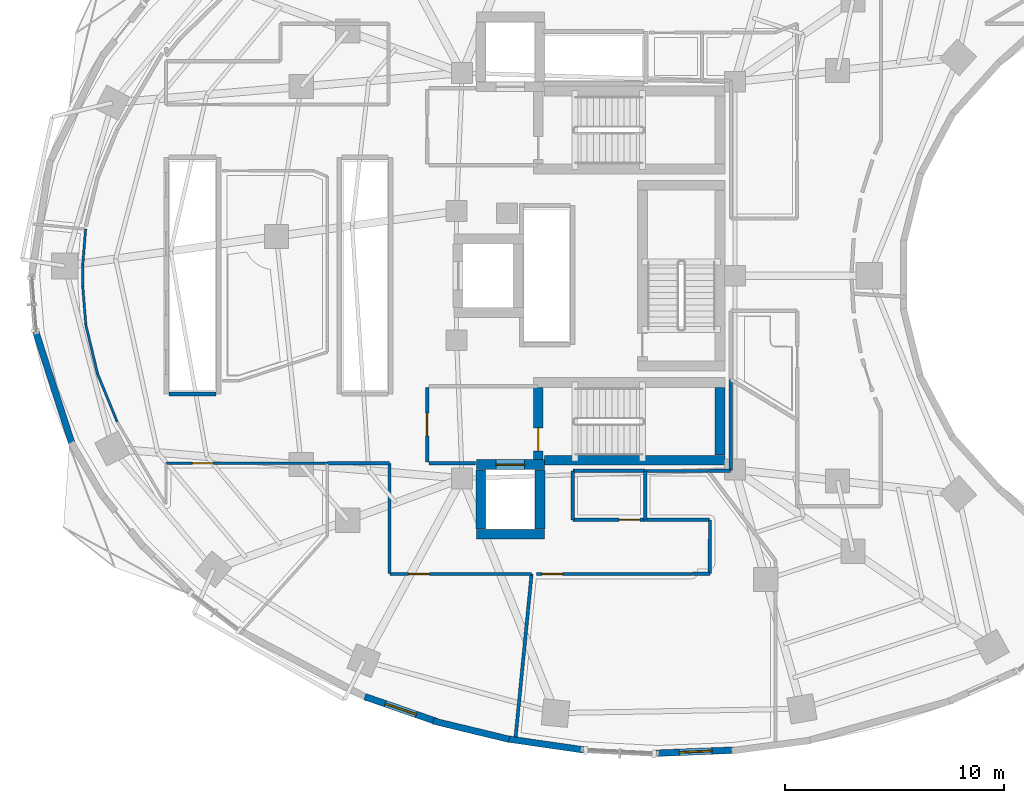
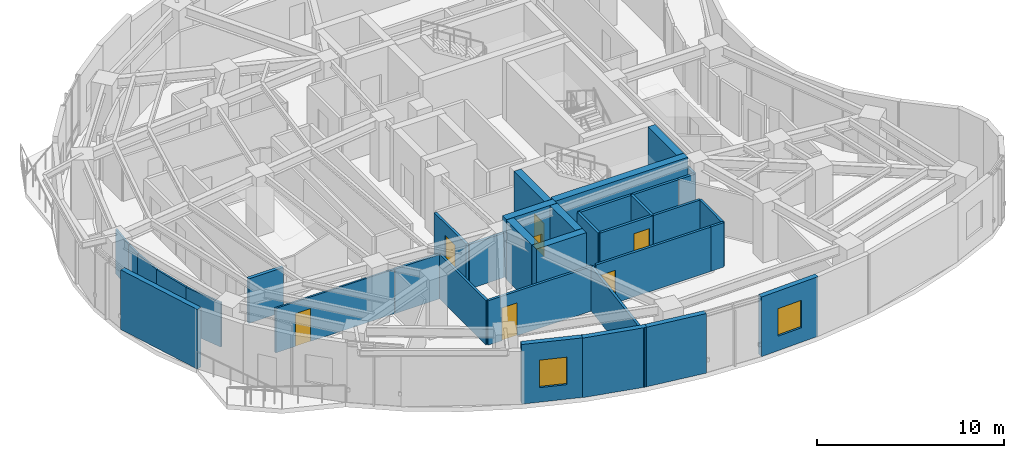
# One storey, part 8 of 15: 36 walls, 7 doors, 2 windows, 9 openings.
"""IFC4 building model written with IfcOpenShell, lengths in metres."""

from ifc_helpers import new_model, si_unit, direction, frame, frame_2d, origin, place, context, subcontext, project, spatial, rectangle, extrude, material, layer, layer_set, type_object, element, fill, save


model = new_model("IFC4")

# Units and contexts
model_context = context("Model", 3, precision=1e-05, world=origin(), true_north=direction((0.0, 1.0)))
body_context = subcontext(model_context, "Body", "Model", "MODEL_VIEW")
ifc_project = project(units=[si_unit("LENGTHUNIT", "METRE"), si_unit("AREAUNIT", "SQUARE_METRE"), si_unit("VOLUMEUNIT", "CUBIC_METRE"), si_unit("PLANEANGLEUNIT", "RADIAN"), si_unit("MASSUNIT", "GRAM", prefix="KILO")], contexts=[model_context])

# Site, building, storey
site_placement = place(None, origin())
site = spatial("IfcSite", under=ifc_project, at=site_placement, CompositionType="ELEMENT")
building_placement = place(site_placement, origin())
building = spatial("IfcBuilding", under=site, at=building_placement, Name="Korentha Bioscience Tower", CompositionType="ELEMENT")
storey_placement = place(building_placement, frame((0.0, 0.0, 98.39990234375)))
storey = spatial("IfcBuildingStorey", under=building, at=storey_placement, Name="L22", CompositionType="ELEMENT", Elevation=98.39990234375)

# Wall, opening, door
ifc_material_1 = material(Name="Double-Stud Acoustic Gypsum", Category="gypsum")
ifc_layer_1 = layer(ifc_material_1, 0.14990234375, Name="Double-Stud Acoustic Gypsum")
ifc_layer_set_1 = layer_set([ifc_layer_1], Name="Double-Stud Acoustic Gypsum (IW-L150)")
wall_type_1 = type_object("IfcWallType", Name="Acoustic Laboratory Partition Wall 150", PredefinedType="PARTITIONING", material=ifc_layer_set_1)
wall_1_placement = place(storey_placement, frame((21.800048828125, 13.389892578125, 0.0), z_axis=(0.0, 0.0, 1.0), x_axis=(1.0, 0.0, 0.0)))
wall_1 = element("IfcWall", 1, at=wall_1_placement, inside=storey, type_object=wall_type_1, Name="L22 Research Colloquium Seminar Room 02 Entrance Wall", PredefinedType="PARTITIONING", context=body_context, shape_type="SweptSolid", body=[
    extrude(rectangle(XDim=6.47119140625, YDim=0.14990234375, at=frame_2d((3.235595703125, 0.0))), origin(), (0.0, 0.0, 1.0), 2.91015625),
])
opening_1_placement = place(wall_1_placement, frame((0.85888671875, 0.0, 0.0)))
opening_1 = element("IfcOpeningElement", 2, at=opening_1_placement, cuts=wall_1, Name="Opening ID-10R", PredefinedType="OPENING", context=body_context, shape_type="SweptSolid", body=[
    extrude(rectangle(XDim=0.949951171875, YDim=2.14990234375, at=frame_2d((0.47509765625, 1.074951171875))), frame((0.0, 0.08984375, 0.0), z_axis=(0.0, -1.0, 0.0), x_axis=(1.0, 0.0, 0.0)), (0.0, 0.0, 1.0), 0.1796875),
])
ifc_material_2 = material(Name="Phenolic Laminate Timber Core", Category="wood")
door_type_1 = type_object("IfcDoorType", Name="Laboratory Single Leaf Door 950x2150 Right", OperationType="SINGLE_SWING_RIGHT", PredefinedType="DOOR", material=ifc_material_2)
door_1_placement = place(opening_1_placement, origin())
door_1 = element("IfcDoor", 3, at=door_1_placement, inside=storey, type_object=door_type_1, Name="L22 Research Colloquium Seminar Room 02 Door", OperationType="SINGLE_SWING_RIGHT", OverallHeight=2.14990234375, OverallWidth=0.949951171875, PredefinedType="DOOR", context=body_context, shape_type="SweptSolid", body=[
    extrude(rectangle(XDim=0.949951171875, YDim=2.14990234375, at=frame_2d((0.47509765625, 1.074951171875))), frame((0.0, 0.02490234375, 0.0), z_axis=(0.0, -1.0, 0.0), x_axis=(1.0, 0.0, 0.0)), (0.0, 0.0, 1.0), 0.050048828125),
])
fill(opening_1, door_1)

wall_2_placement = place(storey_placement, frame((28.5, 13.389892578125, 0.0), z_axis=(0.0, 0.0, 1.0), x_axis=(1.0, 0.0, 0.0)))
wall_2 = element("IfcWall", 4, at=wall_2_placement, inside=storey, type_object=wall_type_1, Name="L22 Staff Pantry Kitchenette 03 Entrance Wall", PredefinedType="PARTITIONING", context=body_context, shape_type="SweptSolid", body=[
    extrude(rectangle(XDim=7.10009765625, YDim=0.14990234375, at=frame_2d((3.550048828125, 0.0))), origin(), (0.0, 0.0, 1.0), 2.91015625),
])
opening_2_placement = place(wall_2_placement, frame((0.239990234375, 0.0, 0.0)))
opening_2 = element("IfcOpeningElement", 5, at=opening_2_placement, cuts=wall_2, Name="Opening ID-10L", PredefinedType="OPENING", context=body_context, shape_type="SweptSolid", body=[
    extrude(rectangle(XDim=0.949951171875, YDim=2.14990234375, at=frame_2d((0.47509765625, 1.074951171875))), frame((0.0, 0.08984375, 0.0), z_axis=(0.0, -1.0, 0.0), x_axis=(1.0, 0.0, 0.0)), (0.0, 0.0, 1.0), 0.1796875),
])
door_type_2 = type_object("IfcDoorType", Name="Laboratory Single Leaf Door 950x2150 Left", OperationType="SINGLE_SWING_LEFT", PredefinedType="DOOR", material=ifc_material_2)
door_2_placement = place(opening_2_placement, origin())
door_2 = element("IfcDoor", 6, at=door_2_placement, inside=storey, type_object=door_type_2, Name="L22 Staff Pantry Kitchenette 03 Door", OperationType="SINGLE_SWING_LEFT", OverallHeight=2.14990234375, OverallWidth=0.949951171875, PredefinedType="DOOR", context=body_context, shape_type="SweptSolid", body=[
    extrude(rectangle(XDim=0.949951171875, YDim=2.14990234375, at=frame_2d((0.47509765625, 1.074951171875))), frame((0.0, 0.02490234375, 0.0), z_axis=(0.0, -1.0, 0.0), x_axis=(1.0, 0.0, 0.0)), (0.0, 0.0, 1.0), 0.050048828125),
])
fill(opening_2, door_2)

# Walls
wall_3_placement = place(storey_placement, frame((18.9580078125, 18.43994140625, 0.0), z_axis=(0.0, 0.0, 1.0), x_axis=(1.0, 0.0, 0.0)))
element("IfcWall", 7, at=wall_3_placement, inside=storey, type_object=wall_type_1, Name="L22 Interior Partition 029", PredefinedType="PARTITIONING", context=body_context, shape_type="SweptSolid", body=[
    extrude(rectangle(XDim=2.83203125, YDim=0.14990234375, at=frame_2d((1.416015625, 0.0))), origin(), (0.0, 0.0, 1.0), 2.91015625),
])
wall_4_placement = place(storey_placement, frame((21.7900390625, 18.43994140625, 0.0), z_axis=(0.0, 0.0, 1.0), x_axis=(0.0, -1.0, 0.0)))
element("IfcWall", 8, at=wall_4_placement, inside=storey, type_object=wall_type_1, Name="L22 Interior Partition 030", PredefinedType="PARTITIONING", context=body_context, shape_type="SweptSolid", body=[
    extrude(rectangle(XDim=5.0400390625, YDim=0.14990234375, at=frame_2d((2.52001953125, 0.0))), origin(), (0.0, 0.0, 1.0), 2.91015625),
])
wall_5_placement = place(storey_placement, frame((28.271240234375, 13.389892578125, 0.0), z_axis=(0.0, 0.0, 1.0), x_axis=(-0.097584908723, -0.995227202999, 0.0)))
element("IfcWall", 9, at=wall_5_placement, inside=storey, type_object=wall_type_1, Name="L22 Interior Partition 031", PredefinedType="PARTITIONING", context=body_context, shape_type="SweptSolid", body=[
    extrude(rectangle(XDim=7.735595703125, YDim=0.14990234375, at=frame_2d((3.86767578125, 0.0))), origin(), (0.0, 0.0, 1.0), 2.91015625),
])
wall_6_placement = place(storey_placement, frame((35.610107421875, 13.39990234375, 0.0), z_axis=(0.0, 0.0, 1.0), x_axis=(1.0, 0.0, 0.0)))
element("IfcWall", 10, at=wall_6_placement, inside=storey, type_object=wall_type_1, Name="L22 Interior Partition 033", PredefinedType="PARTITIONING", context=body_context, shape_type="SweptSolid", body=[
    extrude(rectangle(XDim=0.789794921875, YDim=0.14990234375, at=frame_2d((0.39501953125, 0.0))), origin(), (0.0, 0.0, 1.0), 2.91015625),
])
wall_7_placement = place(storey_placement, frame((36.39990234375, 13.39990234375, 0.0), z_axis=(0.0, 0.0, 1.0), x_axis=(0.004085258855, 0.999991655295, 0.0)))
element("IfcWall", 11, at=wall_7_placement, inside=storey, type_object=wall_type_1, Name="L22 Interior Partition 034", PredefinedType="PARTITIONING", context=body_context, shape_type="SweptSolid", body=[
    extrude(rectangle(XDim=2.4501953125, YDim=0.14990234375, at=frame_2d((1.22509765625, 0.0))), origin(), (0.0, 0.0, 1.0), 2.91015625),
])
wall_8_placement = place(storey_placement, frame((36.39990234375, 15.860107421875, 0.0), z_axis=(0.0, 0.0, 1.0), x_axis=(-1.0, 0.0, 0.0)))
element("IfcWall", 12, at=wall_8_placement, inside=storey, type_object=wall_type_1, Name="L22 Interior Partition 035", PredefinedType="PARTITIONING", context=body_context, shape_type="SweptSolid", body=[
    extrude(rectangle(XDim=2.93994140625, YDim=0.14990234375, at=frame_2d((1.469970703125, 0.0))), origin(), (0.0, 0.0, 1.0), 2.91015625),
])
wall_9_placement = place(storey_placement, frame((33.4599609375, 18.090087890625, 0.0), z_axis=(0.0, 0.0, 1.0), x_axis=(1.0, 0.0, 0.0)))
element("IfcWall", 13, at=wall_9_placement, inside=storey, type_object=wall_type_1, Name="L22 Interior Partition 036", PredefinedType="PARTITIONING", context=body_context, shape_type="SweptSolid", body=[
    extrude(rectangle(XDim=2.859375, YDim=0.14990234375, at=frame_2d((1.4296875, 0.0))), origin(), (0.0, 0.0, 1.0), 2.91015625),
])

# Wall, opening, door
ifc_material_3 = material(Name="Fire-Rated Framed Glass", Category="glass")
ifc_layer_2 = layer(ifc_material_3, 0.110107421875, Name="Fire-Rated Framed Glass")
ifc_layer_set_2 = layer_set([ifc_layer_2], Name="Fire-Rated Framed Glass (IW-G110)")
wall_type_2 = type_object("IfcWallType", Name="Demountable Glazed Office Partition 110", PredefinedType="MOVABLE", material=ifc_layer_set_2)
wall_10_placement = place(storey_placement, frame((11.590087890625, 18.43994140625, 0.0), z_axis=(0.0, 0.0, 1.0), x_axis=(1.0, 0.0, 0.0)))
wall_10 = element("IfcWall", 14, at=wall_10_placement, inside=storey, type_object=wall_type_2, Name="L22 Principal Investigator Office 01 Entrance Wall", PredefinedType="MOVABLE", context=body_context, shape_type="SweptSolid", body=[
    extrude(rectangle(XDim=7.35791015625, YDim=0.110107421875, at=frame_2d((3.678955078125, 0.0))), origin(), (0.0, 0.0, 1.0), 2.91015625),
])
opening_3_placement = place(wall_10_placement, frame((1.206298828125, 0.0, 0.0)))
opening_3 = element("IfcOpeningElement", 15, at=opening_3_placement, cuts=wall_10, Name="Opening ID-10L", PredefinedType="OPENING", context=body_context, shape_type="SweptSolid", body=[
    extrude(rectangle(XDim=0.949951171875, YDim=2.14990234375, at=frame_2d((0.47509765625, 1.074951171875))), frame((0.0, 0.06982421875, 0.0), z_axis=(0.0, -1.0, 0.0), x_axis=(1.0, 0.0, 0.0)), (0.0, 0.0, 1.0), 0.139892578125),
])
door_3_placement = place(opening_3_placement, origin())
door_3 = element("IfcDoor", 16, at=door_3_placement, inside=storey, type_object=door_type_2, Name="L22 Principal Investigator Office 01 Door", OperationType="SINGLE_SWING_LEFT", OverallHeight=2.14990234375, OverallWidth=0.949951171875, PredefinedType="DOOR", context=body_context, shape_type="SweptSolid", body=[
    extrude(rectangle(XDim=0.949951171875, YDim=2.14990234375, at=frame_2d((0.47509765625, 1.074951171875))), frame((0.0, 0.02490234375, 0.0), z_axis=(0.0, -1.0, 0.0), x_axis=(1.0, 0.0, 0.0)), (0.0, 0.0, 1.0), 0.050048828125),
])
fill(opening_3, door_3)

# Walls
wall_11_placement = place(storey_placement, frame((7.920166015625, 29.12451171875, 0.0), z_axis=(0.0, 0.0, 1.0), x_axis=(-0.079067162534, -0.996869291236, 0.0)))
element("IfcWall", 17, at=wall_11_placement, inside=storey, type_object=wall_type_2, Name="L22 Interior Partition 020", PredefinedType="MOVABLE", context=body_context, shape_type="SweptSolid", body=[
    extrude(rectangle(XDim=1.645751953125, YDim=0.110107421875, at=frame_2d((0.82275390625, 0.0))), origin(), (0.0, 0.0, 1.0), 2.91015625),
])
wall_12_placement = place(storey_placement, frame((7.7900390625, 27.48291015625, 0.0), z_axis=(0.0, 0.0, 1.0), x_axis=(0.0, -1.0, 0.0)))
element("IfcWall", 18, at=wall_12_placement, inside=storey, type_object=wall_type_2, Name="L22 Interior Partition 021", PredefinedType="MOVABLE", context=body_context, shape_type="SweptSolid", body=[
    extrude(rectangle(XDim=0.9658203125, YDim=0.110107421875, at=frame_2d((0.48291015625, 0.0))), origin(), (0.0, 0.0, 1.0), 2.91015625),
])
wall_13_placement = place(storey_placement, frame((7.7900390625, 26.51611328125, 0.0), z_axis=(0.0, 0.0, 1.0), x_axis=(0.079131522864, -0.996864184375, 0.0)))
element("IfcWall", 19, at=wall_13_placement, inside=storey, type_object=wall_type_2, Name="L22 Interior Partition 022", PredefinedType="MOVABLE", context=body_context, shape_type="SweptSolid", body=[
    extrude(rectangle(XDim=1.77099609375, YDim=0.110107421875, at=frame_2d((0.885498046875, 0.0))), origin(), (0.0, 0.0, 1.0), 2.91015625),
])
wall_14_placement = place(storey_placement, frame((7.930419921875, 24.749267578125, 0.0), z_axis=(0.0, 0.0, 1.0), x_axis=(0.233675196412, -0.972314713754, 0.0)))
element("IfcWall", 20, at=wall_14_placement, inside=storey, type_object=wall_type_2, Name="L22 Interior Partition 023", PredefinedType="MOVABLE", context=body_context, shape_type="SweptSolid", body=[
    extrude(rectangle(XDim=2.291259765625, YDim=0.110107421875, at=frame_2d((1.1455078125, 0.0))), origin(), (0.0, 0.0, 1.0), 2.91015625),
])
wall_15_placement = place(storey_placement, frame((8.46630859375, 22.520263671875, 0.0), z_axis=(0.0, 0.0, 1.0), x_axis=(0.378306283753, -0.925680482495, 0.0)))
element("IfcWall", 21, at=wall_15_placement, inside=storey, type_object=wall_type_2, Name="L22 Interior Partition 024", PredefinedType="MOVABLE", context=body_context, shape_type="SweptSolid", body=[
    extrude(rectangle(XDim=2.358154296875, YDim=0.110107421875, at=frame_2d((1.17919921875, 0.0))), origin(), (0.0, 0.0, 1.0), 2.91015625),
])

# Wall, opening, door
ifc_material_4 = material(Name="Gypsum-Clad Steel Stud", Category="steel")
ifc_layer_3 = layer(ifc_material_4, 0.159912109375, Name="Gypsum-Clad Steel Stud")
ifc_layer_set_3 = layer_set([ifc_layer_3], Name="Gypsum-Clad Steel Stud (IW-C160)")
wall_type_3 = type_object("IfcWallType", Name="Fire-Rated Corridor Partition Wall 160", PredefinedType="PARTITIONING", material=ifc_layer_set_3)
wall_16_placement = place(storey_placement, frame((23.5, 18.5, 0.0), z_axis=(0.0, 0.0, 1.0), x_axis=(0.0, 1.0, 0.0)))
wall_16 = element("IfcWall", 22, at=wall_16_placement, inside=storey, type_object=wall_type_3, Name="L22 FFLS-CW Rated Enclosure Wall", PredefinedType="PARTITIONING", context=body_context, shape_type="SweptSolid", body=[
    extrude(rectangle(XDim=3.39990234375, YDim=0.159912109375, at=frame_2d((1.699951171875, 0.0))), origin(), (0.0, 0.0, 1.0), 2.91015625),
])
opening_4_placement = place(wall_16_placement, frame((1.175048828125, 0.0, 0.0)))
opening_4 = element("IfcOpeningElement", 23, at=opening_4_placement, cuts=wall_16, Name="Opening FD-90L", PredefinedType="OPENING", context=body_context, shape_type="SweptSolid", body=[
    extrude(rectangle(XDim=1.050048828125, YDim=2.14990234375, at=frame_2d((0.52490234375, 1.074951171875))), frame((0.0, 0.0947265625, 0.0), z_axis=(0.0, -1.0, 0.0), x_axis=(1.0, 0.0, 0.0)), (0.0, 0.0, 1.0), 0.189697265625),
])
ifc_material_5 = material(Name="Powder-Coated Fire-Rated Steel", Category="steel")
door_type_3 = type_object("IfcDoorType", Name="Stairwell Fire Exit Door 1050x2150 Left", OperationType="SINGLE_SWING_LEFT", PredefinedType="DOOR", material=ifc_material_5)
door_4_placement = place(opening_4_placement, origin())
door_4 = element("IfcDoor", 24, at=door_4_placement, inside=storey, type_object=door_type_3, Name="L22 South Firefighting Lobby Door", OperationType="SINGLE_SWING_LEFT", OverallHeight=2.14990234375, OverallWidth=1.050048828125, PredefinedType="DOOR", context=body_context, shape_type="SweptSolid", body=[
    extrude(rectangle(XDim=1.050048828125, YDim=2.14990234375, at=frame_2d((0.52490234375, 1.074951171875))), frame((0.0, 0.02490234375, 0.0), z_axis=(0.0, -1.0, 0.0), x_axis=(1.0, 0.0, 0.0)), (0.0, 0.0, 1.0), 0.050048828125),
])
fill(opening_4, door_4)

# Wall
wall_17_placement = place(storey_placement, frame((23.580078125, 18.449951171875, 0.0), z_axis=(0.0, 0.0, 1.0), x_axis=(1.0, 0.0, 0.0)))
element("IfcWall", 25, at=wall_17_placement, inside=storey, type_object=wall_type_3, Name="L22 Firefighting Lobby Return Wall FFLS-S", PredefinedType="PARTITIONING", context=body_context, shape_type="SweptSolid", body=[
    extrude(rectangle(XDim=2.119873046875, YDim=0.159912109375, at=frame_2d((1.06005859375, 0.0))), origin(), (0.0, 0.0, 1.0), 2.91015625),
])

# Wall, opening, door
wall_18_placement = place(storey_placement, frame((33.449951171875, 15.860107421875, 0.0), z_axis=(0.0, 0.0, 1.0), x_axis=(-1.0, 0.0, 0.0)))
wall_18 = element("IfcWall", 26, at=wall_18_placement, inside=storey, type_object=wall_type_3, Name="L22 Core Instrumentation and Gas Store Entrance Wall", PredefinedType="PARTITIONING", context=body_context, shape_type="SweptSolid", body=[
    extrude(rectangle(XDim=3.300048828125, YDim=0.159912109375, at=frame_2d((1.64990234375, 0.0))), origin(), (0.0, 0.0, 1.0), 2.91015625),
])
opening_5_placement = place(wall_18_placement, frame((0.239990234375, 0.0, 0.0)))
opening_5 = element("IfcOpeningElement", 27, at=opening_5_placement, cuts=wall_18, Name="Opening ID-10L", PredefinedType="OPENING", context=body_context, shape_type="SweptSolid", body=[
    extrude(rectangle(XDim=0.949951171875, YDim=2.14990234375, at=frame_2d((0.47509765625, 1.074951171875))), frame((0.0, 0.0947265625, 0.0), z_axis=(0.0, -1.0, 0.0), x_axis=(1.0, 0.0, 0.0)), (0.0, 0.0, 1.0), 0.189697265625),
])
door_5_placement = place(opening_5_placement, origin())
door_5 = element("IfcDoor", 28, at=door_5_placement, inside=storey, type_object=door_type_2, Name="L22 Core Instrumentation and Gas Store Door", OperationType="SINGLE_SWING_LEFT", OverallHeight=2.14990234375, OverallWidth=0.949951171875, PredefinedType="DOOR", context=body_context, shape_type="SweptSolid", body=[
    extrude(rectangle(XDim=0.949951171875, YDim=2.14990234375, at=frame_2d((0.47509765625, 1.074951171875))), frame((0.0, 0.02490234375, 0.0), z_axis=(0.0, -1.0, 0.0), x_axis=(1.0, 0.0, 0.0)), (0.0, 0.0, 1.0), 0.050048828125),
])
fill(opening_5, door_5)

# Walls
wall_19_placement = place(storey_placement, frame((30.14990234375, 15.860107421875, 0.0), z_axis=(0.0, 0.0, 1.0), x_axis=(0.0, 1.0, 0.0)))
element("IfcWall", 29, at=wall_19_placement, inside=storey, type_object=wall_type_3, Name="L22 Interior Partition 014", PredefinedType="PARTITIONING", context=body_context, shape_type="SweptSolid", body=[
    extrude(rectangle(XDim=2.22998046875, YDim=0.159912109375, at=frame_2d((1.114990234375, 0.0))), origin(), (0.0, 0.0, 1.0), 2.91015625),
])
wall_20_placement = place(storey_placement, frame((30.14990234375, 18.090087890625, 0.0), z_axis=(0.0, 0.0, 1.0), x_axis=(1.0, 0.0, 0.0)))
element("IfcWall", 30, at=wall_20_placement, inside=storey, type_object=wall_type_3, Name="L22 Interior Partition 015", PredefinedType="PARTITIONING", context=body_context, shape_type="SweptSolid", body=[
    extrude(rectangle(XDim=3.300048828125, YDim=0.159912109375, at=frame_2d((1.64990234375, 0.0))), origin(), (0.0, 0.0, 1.0), 2.91015625),
])
wall_21_placement = place(storey_placement, frame((33.449951171875, 18.090087890625, 0.0), z_axis=(0.0, 0.0, 1.0), x_axis=(0.0, -1.0, 0.0)))
element("IfcWall", 31, at=wall_21_placement, inside=storey, type_object=wall_type_3, Name="L22 Interior Partition 016", PredefinedType="PARTITIONING", context=body_context, shape_type="SweptSolid", body=[
    extrude(rectangle(XDim=2.22998046875, YDim=0.159912109375, at=frame_2d((1.114990234375, 0.0))), origin(), (0.0, 0.0, 1.0), 2.91015625),
])
wall_22_placement = place(storey_placement, frame((36.331787109375, 18.090087890625, 0.0), z_axis=(0.0, 0.0, 1.0), x_axis=(1.0, 0.0, 0.0)))
element("IfcWall", 32, at=wall_22_placement, inside=storey, type_object=wall_type_3, Name="L22 Interior Partition 047", PredefinedType="PARTITIONING", context=body_context, shape_type="SweptSolid", body=[
    extrude(rectangle(XDim=1.018310546875, YDim=0.159912109375, at=frame_2d((0.50927734375, 0.0))), origin(), (0.0, 0.0, 1.0), 2.91015625),
])
wall_23_placement = place(storey_placement, frame((37.360107421875, 18.10009765625, 0.0), z_axis=(0.0, 0.0, 1.0), x_axis=(0.0, 1.0, 0.0)))
element("IfcWall", 33, at=wall_23_placement, inside=storey, type_object=wall_type_3, Name="L22 Interior Partition 048", PredefinedType="PARTITIONING", context=body_context, shape_type="SweptSolid", body=[
    extrude(rectangle(XDim=4.16552734375, YDim=0.159912109375, at=frame_2d((2.082763671875, 0.0))), origin(), (0.0, 0.0, 1.0), 2.91015625),
])

# Wall, opening, window
ifc_material_6 = material(Name="Honed Limestone Precast Concrete C40", Category="masonry")
ifc_layer_4 = layer(ifc_material_6, 0.300048828125, Name="Honed Limestone Precast Concrete C40")
ifc_layer_set_4 = layer_set([ifc_layer_4], Name="Honed Limestone Precast Concrete C40 (EW-ST300)")
wall_type_4 = type_object("IfcWallType", Name="Honed Limestone Cavity Spandrel Wall 300", PredefinedType="STANDARD", material=ifc_layer_set_4)
wall_24_placement = place(storey_placement, frame((20.662109375, 7.7919921875, 0.0), z_axis=(0.0, 0.0, 1.0), x_axis=(0.944878029854, -0.3274225232, 0.0)))
wall_24 = element("IfcWall", 34, at=wall_24_placement, inside=storey, type_object=wall_type_4, Name="L22 Honed Limestone Spandrel Wall 28", PredefinedType="STANDARD", context=body_context, shape_type="SweptSolid", body=[
    extrude(rectangle(XDim=3.46728515625, YDim=0.300048828125, at=frame_2d((1.733642578125, 0.0))), origin(), (0.0, 0.0, 1.0), 3.900146484375),
])
opening_6_placement = place(wall_24_placement, frame((0.983642578125, 0.0, 0.949951171875)))
opening_6 = element("IfcOpeningElement", 35, at=opening_6_placement, cuts=wall_24, Name="Opening WN-02", PredefinedType="OPENING", context=body_context, shape_type="SweptSolid", body=[
    extrude(rectangle(XDim=1.5, YDim=1.800048828125, at=frame_2d((0.75, 0.89990234375))), frame((0.0, 0.1650390625, 0.0), z_axis=(0.0, -1.0, 0.0), x_axis=(1.0, 0.0, 0.0)), (0.0, 0.0, 1.0), 0.329833984375),
])
ifc_material_7 = material(Name="Thermally Broken Aluminium Triple Glazing", Category="aluminium")
window_type = type_object("IfcWindowType", Name="Acoustic Operable Office Window 1500x1800", PartitioningType="DOUBLE_PANEL_VERTICAL", PredefinedType="WINDOW", material=ifc_material_7)
window_1_placement = place(opening_6_placement, origin())
window_1 = element("IfcWindow", 36, at=window_1_placement, inside=storey, type_object=window_type, Name="L22 Facade Window 28", OverallHeight=1.800048828125, OverallWidth=1.5, PartitioningType="DOUBLE_PANEL_VERTICAL", PredefinedType="WINDOW", context=body_context, shape_type="SweptSolid", body=[
    extrude(rectangle(XDim=1.5, YDim=1.800048828125, at=frame_2d((0.75, 0.89990234375))), frame((0.0, 0.030029296875, 0.0), z_axis=(0.0, -1.0, 0.0), x_axis=(1.0, 0.0, 0.0)), (0.0, 0.0, 1.0), 0.06005859375),
])
fill(opening_6, window_1)

wall_25_placement = place(storey_placement, frame((33.961181640625, 5.210205078125, 0.0), z_axis=(0.0, 0.0, 1.0), x_axis=(0.999210691503, 0.039723972445, 0.0)))
wall_25 = element("IfcWall", 37, at=wall_25_placement, inside=storey, type_object=wall_type_4, Name="L22 Honed Limestone Spandrel Wall 32", PredefinedType="STANDARD", context=body_context, shape_type="SweptSolid", body=[
    extrude(rectangle(XDim=3.595458984375, YDim=0.300048828125, at=frame_2d((1.7978515625, 0.0))), origin(), (0.0, 0.0, 1.0), 3.900146484375),
])
opening_7_placement = place(wall_25_placement, frame((1.047607421875, 0.0, 0.949951171875)))
opening_7 = element("IfcOpeningElement", 38, at=opening_7_placement, cuts=wall_25, Name="Opening WN-02", PredefinedType="OPENING", context=body_context, shape_type="SweptSolid", body=[
    extrude(rectangle(XDim=1.5, YDim=1.800048828125, at=frame_2d((0.75, 0.89990234375))), frame((0.0, 0.1650390625, 0.0), z_axis=(0.0, -1.0, 0.0), x_axis=(1.0, 0.0, 0.0)), (0.0, 0.0, 1.0), 0.329833984375),
])
window_2_placement = place(opening_7_placement, origin())
window_2 = element("IfcWindow", 39, at=window_2_placement, inside=storey, type_object=window_type, Name="L22 Facade Window 32", OverallHeight=1.800048828125, OverallWidth=1.5, PartitioningType="DOUBLE_PANEL_VERTICAL", PredefinedType="WINDOW", context=body_context, shape_type="SweptSolid", body=[
    extrude(rectangle(XDim=1.5, YDim=1.800048828125, at=frame_2d((0.75, 0.89990234375))), frame((0.0, 0.030029296875, 0.0), z_axis=(0.0, -1.0, 0.0), x_axis=(1.0, 0.0, 0.0)), (0.0, 0.0, 1.0), 0.06005859375),
])
fill(opening_7, window_2)

# Walls
wall_26_placement = place(storey_placement, frame((5.631591796875, 24.48681640625, 0.0), z_axis=(0.0, 0.0, 1.0), x_axis=(0.307599470659, -0.951515930319, 0.0)))
element("IfcWall", 40, at=wall_26_placement, inside=storey, type_object=wall_type_4, Name="L22 Limestone Perimeter Closure Wall 20", PredefinedType="STANDARD", context=body_context, shape_type="SweptSolid", body=[
    extrude(rectangle(XDim=5.534423828125, YDim=0.300048828125, at=frame_2d((2.76708984375, 0.0))), origin(), (0.0, 0.0, 1.0), 3.900146484375),
])
wall_27_placement = place(storey_placement, frame((23.7841796875, 6.679931640625, 0.0), z_axis=(0.0, 0.0, 1.0), x_axis=(0.972043452321, -0.234801036625, 0.0)))
element("IfcWall", 41, at=wall_27_placement, inside=storey, type_object=wall_type_4, Name="L22 Limestone Perimeter Closure Wall 29", PredefinedType="STANDARD", context=body_context, shape_type="SweptSolid", body=[
    extrude(rectangle(XDim=3.568603515625, YDim=0.300048828125, at=frame_2d((1.7841796875, 0.0))), origin(), (0.0, 0.0, 1.0), 3.900146484375),
])
wall_28_placement = place(storey_placement, frame((27.083251953125, 5.874755859375, 0.0), z_axis=(0.0, 0.0, 1.0), x_axis=(0.989734732902, -0.142916613754, 0.0)))
element("IfcWall", 42, at=wall_28_placement, inside=storey, type_object=wall_type_4, Name="L22 Limestone Perimeter Closure Wall 30", PredefinedType="STANDARD", context=body_context, shape_type="SweptSolid", body=[
    extrude(rectangle(XDim=3.611328125, YDim=0.300048828125, at=frame_2d((1.8056640625, 0.0))), origin(), (0.0, 0.0, 1.0), 3.900146484375),
])
ifc_material_8 = material(Name="Autoclaved Aerated Concrete Block C25", Category="concrete")
ifc_layer_5 = layer(ifc_material_8, 0.199951171875, Name="Autoclaved Aerated Concrete Block C25")
ifc_layer_set_5 = layer_set([ifc_layer_5], Name="Autoclaved Aerated Concrete Block C25 (IW-S200)")
wall_type_5 = type_object("IfcWallType", Name="Lift and Riser Shaft Enclosure Wall 200", PredefinedType="PARTITIONING", material=ifc_layer_set_5)
wall_29_placement = place(storey_placement, frame((11.719970703125, 21.60009765625, 0.0), z_axis=(0.0, 0.0, 1.0), x_axis=(1.0, 0.0, 0.0)))
element("IfcWall", 43, at=wall_29_placement, inside=storey, type_object=wall_type_5, Name="L22 Lift Bank LOW Shaft Wall -Y", PredefinedType="PARTITIONING", context=body_context, shape_type="SweptSolid", body=[
    extrude(rectangle(XDim=2.159912109375, YDim=0.199951171875, at=frame_2d((1.080078125, 0.0))), origin(), (0.0, 0.0, 1.0), 2.91015625),
])
ifc_material_9 = material(Name="Concrete C80", Category="concrete")
ifc_layer_6 = layer(ifc_material_9, 0.449951171875, Name="Concrete C80")
ifc_layer_set_6 = layer_set([ifc_layer_6], Name="Concrete C80 (CW-C80)")
wall_type_6 = type_object("IfcWallType", Name="Lower Core Shear Wall 450", PredefinedType="SHEAR", material=ifc_layer_set_6)
wall_30_placement = place(storey_placement, frame((28.85205078125, 18.574951171875, 0.0), z_axis=(0.0, 0.0, 1.0), x_axis=(1.0, 0.0, 0.0)))
element("IfcWall", 44, at=wall_30_placement, inside=storey, type_object=wall_type_6, Name="L22 Core Shear Wall ST2-S", PredefinedType="SHEAR", context=body_context, shape_type="SweptSolid", body=[
    extrude(rectangle(XDim=8.248046875, YDim=0.449951171875, at=frame_2d((4.1240234375, 0.0))), origin(), (0.0, 0.0, 1.0), 3.900146484375),
])
wall_31_placement = place(storey_placement, frame((36.875, 18.81005859375, 0.0), z_axis=(0.0, 0.0, 1.0), x_axis=(0.0, 1.0, 0.0)))
element("IfcWall", 45, at=wall_31_placement, inside=storey, type_object=wall_type_6, Name="L22 Core Shear Wall ST2-E", PredefinedType="SHEAR", context=body_context, shape_type="SweptSolid", body=[
    extrude(rectangle(XDim=3.079833984375, YDim=0.449951171875, at=frame_2d((1.5400390625, 0.0))), origin(), (0.0, 0.0, 1.0), 3.900146484375),
])

# Wall, opening, door
wall_32_placement = place(storey_placement, frame((28.574951171875, 18.60693359375, 0.0), z_axis=(0.0, 0.0, 1.0), x_axis=(0.0, 1.0, 0.0)))
wall_32 = element("IfcWall", 46, at=wall_32_placement, inside=storey, type_object=wall_type_6, Name="L22 Core Shear Wall ST2-W", PredefinedType="SHEAR", context=body_context, shape_type="SweptSolid", body=[
    extrude(rectangle(XDim=3.282958984375, YDim=0.449951171875, at=frame_2d((1.6416015625, 0.0))), origin(), (0.0, 0.0, 1.0), 3.900146484375),
])
opening_8_placement = place(wall_32_placement, frame((0.403076171875, 0.0, 0.0)))
opening_8 = element("IfcOpeningElement", 47, at=opening_8_placement, cuts=wall_32, Name="Opening FD-90L", PredefinedType="OPENING", context=body_context, shape_type="SweptSolid", body=[
    extrude(rectangle(XDim=1.050048828125, YDim=2.14990234375, at=frame_2d((0.52490234375, 1.074951171875))), frame((0.0, 0.23974609375, 0.0), z_axis=(0.0, -1.0, 0.0), x_axis=(1.0, 0.0, 0.0)), (0.0, 0.0, 1.0), 0.479736328125),
])
door_6_placement = place(opening_8_placement, origin())
door_6 = element("IfcDoor", 48, at=door_6_placement, inside=storey, type_object=door_type_3, Name="L22 ST-2 Fire Exit Stair Door", OperationType="SINGLE_SWING_LEFT", OverallHeight=2.14990234375, OverallWidth=1.050048828125, PredefinedType="DOOR", context=body_context, shape_type="SweptSolid", body=[
    extrude(rectangle(XDim=1.050048828125, YDim=2.14990234375, at=frame_2d((0.52490234375, 1.074951171875))), frame((0.0, 0.02490234375, 0.0), z_axis=(0.0, -1.0, 0.0), x_axis=(1.0, 0.0, 0.0)), (0.0, 0.0, 1.0), 0.050048828125),
])
fill(opening_8, door_6)

# Wall
wall_33_placement = place(storey_placement, frame((25.75, 15.199951171875, 0.0), z_axis=(0.0, 0.0, 1.0), x_axis=(1.0, 0.0, 0.0)))
element("IfcWall", 49, at=wall_33_placement, inside=storey, type_object=wall_type_6, Name="L22 Core Shear Wall FFL1-S", PredefinedType="SHEAR", context=body_context, shape_type="SweptSolid", body=[
    extrude(rectangle(XDim=3.10009765625, YDim=0.449951171875, at=frame_2d((1.550048828125, 0.0))), origin(), (0.0, 0.0, 1.0), 3.900146484375),
])

# Wall, opening, door
wall_34_placement = place(storey_placement, frame((25.75, 18.3798828125, 0.0), z_axis=(0.0, 0.0, 1.0), x_axis=(1.0, 0.0, 0.0)))
wall_34 = element("IfcWall", 50, at=wall_34_placement, inside=storey, type_object=wall_type_6, Name="L22 Core Shear Wall FFL1-N", PredefinedType="SHEAR", context=body_context, shape_type="SweptSolid", body=[
    extrude(rectangle(XDim=3.10009765625, YDim=0.449951171875, at=frame_2d((1.550048828125, 0.0))), origin(), (0.0, 0.0, 1.0), 3.900146484375),
])
opening_9_placement = place(wall_34_placement, frame((0.89990234375, 0.0, 0.0)))
opening_9 = element("IfcOpeningElement", 51, at=opening_9_placement, cuts=wall_34, Name="Opening LD-13", PredefinedType="OPENING", context=body_context, shape_type="SweptSolid", body=[
    extrude(rectangle(XDim=1.300048828125, YDim=2.199951171875, at=frame_2d((0.64990234375, 1.10009765625))), frame((0.0, 0.23974609375, 0.0), z_axis=(0.0, -1.0, 0.0), x_axis=(1.0, 0.0, 0.0)), (0.0, 0.0, 1.0), 0.479736328125),
])
ifc_material_10 = material(Name="Brushed Stainless Steel 316", Category="steel")
door_type_4 = type_object("IfcDoorType", Name="Service & Firefighting Lift Landing Door 1300x2300", OperationType="DOUBLE_DOOR_SLIDING", PredefinedType="DOOR", material=ifc_material_10)
door_7_placement = place(opening_9_placement, origin())
door_7 = element("IfcDoor", 52, at=door_7_placement, inside=storey, type_object=door_type_4, Name="L22 FFL-1 Sliding Lift Landing Door", OperationType="DOUBLE_DOOR_SLIDING", OverallHeight=2.199951171875, OverallWidth=1.300048828125, PredefinedType="DOOR", context=body_context, shape_type="SweptSolid", body=[
    extrude(rectangle(XDim=1.300048828125, YDim=2.199951171875, at=frame_2d((0.64990234375, 1.10009765625))), frame((0.0, 0.02490234375, 0.0), z_axis=(0.0, -1.0, 0.0), x_axis=(1.0, 0.0, 0.0)), (0.0, 0.0, 1.0), 0.050048828125),
])
fill(opening_9, door_7)

# Walls
for number, where, z_axis, x_axis, name in (
    (53, (25.949951171875, 15.43994140625, 0.0), (0.0, 0.0, 1.0), (0.0, 1.0, 0.0), "L22 Core Shear Wall FFL1-W"),
    (54, (28.64990234375, 15.43994140625, 0.0), (0.0, 0.0, 1.0), (0.0, 1.0, 0.0), "L22 Core Shear Wall FFL1-E"),
):
    element("IfcWall", number, at=place(storey_placement, frame(where, z_axis=z_axis, x_axis=x_axis)), inside=storey, type_object=wall_type_6, Name=name, PredefinedType="SHEAR", context=body_context, shape_type="SweptSolid", body=[
        extrude(rectangle(XDim=2.699951171875, YDim=0.449951171875, at=frame_2d((1.35009765625, 0.0))), origin(), (0.0, 0.0, 1.0), 3.900146484375),
    ])

save(model, "model.ifc")
